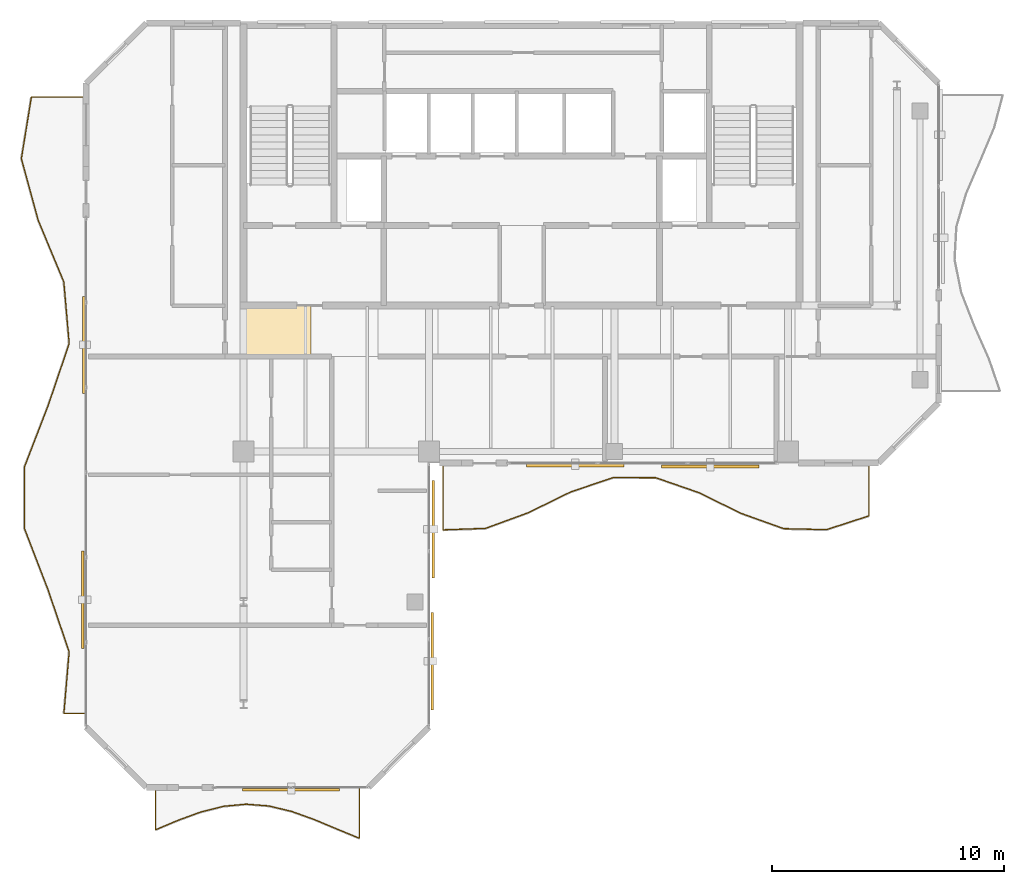
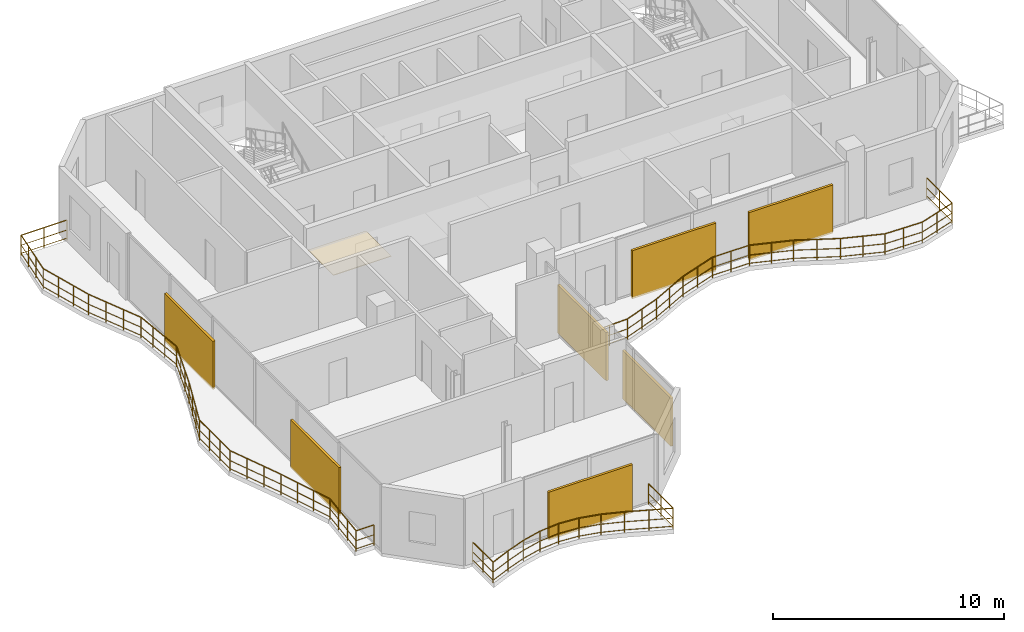
# One storey, part 16 of 17: 7 shading devices, 3 railings, 1 covering.
"""IFC4 building model written with IfcOpenShell, lengths in metres."""

from ifc_helpers import new_model, si_unit, direction, frame, origin, origin_2d, place, context, subcontext, project, spatial, polyline, rectangle, circle, outline, extrude, material, layer, layer_set, type_object, element, save


model = new_model("IFC4")

# Units and contexts
model_context = context("Model", 3, precision=1e-05, world=origin(), true_north=direction((0.0, 1.0)))
body_context = subcontext(model_context, "Body", "Model", "MODEL_VIEW")
ifc_project = project(units=[si_unit("LENGTHUNIT", "METRE"), si_unit("AREAUNIT", "SQUARE_METRE"), si_unit("VOLUMEUNIT", "CUBIC_METRE"), si_unit("PLANEANGLEUNIT", "RADIAN"), si_unit("MASSUNIT", "GRAM", prefix="KILO")], contexts=[model_context])

# Site, building, storey
site_placement = place(None, origin())
site = spatial("IfcSite", under=ifc_project, at=site_placement, CompositionType="ELEMENT")
building_placement = place(site_placement, origin())
building = spatial("IfcBuilding", under=site, at=building_placement, Name="Catumbela Crestline Tower", CompositionType="ELEMENT")
storey_placement = place(building_placement, frame((0.0, 0.0, 283.0)))
storey = spatial("IfcBuildingStorey", under=building, at=storey_placement, Name="L73", CompositionType="ELEMENT", Elevation=283.0)

# Covering
ifc_material_1 = material(Name="Mineral-fibre acoustic ceiling")
ifc_layer = layer(ifc_material_1, 0.03, Name="Mineral-fibre acoustic ceiling")
ifc_layer_set = layer_set([ifc_layer], Name="Mineral-fibre acoustic ceiling")
covering_type = type_object("IfcCoveringType", Name="CC-AC", PredefinedType="CEILING", material=ifc_layer_set)
covering_placement = place(storey_placement, frame((0.0, 0.0, 2.52)))
element("IfcCovering", 1, at=covering_placement, inside=storey, type_object=covering_type, Name="L73 Corridor Acoustic Ceiling Bay 1", PredefinedType="CEILING", context=body_context, shape_type="SweptSolid", body=[
    extrude(outline(polyline([(16.0, 28.6), (18.9, 28.6), (18.9, 30.8), (16.0, 30.8), (16.0, 28.6)])), origin(), (0.0, 0.0, 1.0), 0.03),
])

# Railings
ifc_material_2 = material(Name="Stainless steel EN 1.4401", Category="steel")
railing_type = type_object("IfcRailingType", Name="RB-1100", PredefinedType="BALUSTRADE", material=ifc_material_2)
railing_1_placement = place(storey_placement, frame((24.6, 23.94, 0.0)))
element("IfcRailing", 2, at=railing_1_placement, inside=storey, type_object=railing_type, Name="L73 Private Wave Balcony Balustrade 1", PredefinedType="BALUSTRADE", context=body_context, shape_type="SweptSolid", body=[
    extrude(circle(Radius=0.024, at=origin_2d()), frame((0.0, 0.0, 1.076), z_axis=(0.0, -1.0, 0.0), x_axis=(1.0, 0.0, 0.0)), (0.0, 0.0, 1.0), 2.8213),
    extrude(circle(Radius=0.0156, at=origin_2d()), frame((0.0, 0.0, 0.55), z_axis=(0.0, -1.0, 0.0), x_axis=(1.0, 0.0, 0.0)), (0.0, 0.0, 1.0), 2.8213),
    extrude(circle(Radius=0.0156, at=origin_2d()), frame((0.0, 0.0, 0.12), z_axis=(0.0, -1.0, 0.0), x_axis=(1.0, 0.0, 0.0)), (0.0, 0.0, 1.0), 2.8213),
    extrude(circle(Radius=0.024, at=origin_2d()), frame((0.0, -2.8213, 1.076), z_axis=(0.999391853654, 0.034870085329, 0.0), x_axis=(-0.034870085329, 0.999391853654, 0.0)), (0.0, 0.0, 1.0), 1.8411),
    extrude(circle(Radius=0.0156, at=origin_2d()), frame((0.0, -2.8213, 0.55), z_axis=(0.999391853654, 0.034870085329, 0.0), x_axis=(-0.034870085329, 0.999391853654, 0.0)), (0.0, 0.0, 1.0), 1.8411),
    extrude(circle(Radius=0.0156, at=origin_2d()), frame((0.0, -2.8213, 0.12), z_axis=(0.999391853654, 0.034870085329, 0.0), x_axis=(-0.034870085329, 0.999391853654, 0.0)), (0.0, 0.0, 1.0), 1.8411),
    extrude(circle(Radius=0.024, at=origin_2d()), frame((1.84, -2.7571, 1.076), z_axis=(0.939150966947, 0.343504674324, 0.0), x_axis=(-0.343504674324, 0.939150966947, 0.0)), (0.0, 0.0, 1.0), 1.9592),
    extrude(circle(Radius=0.0156, at=origin_2d()), frame((1.84, -2.7571, 0.55), z_axis=(0.939150966947, 0.343504674324, 0.0), x_axis=(-0.343504674324, 0.939150966947, 0.0)), (0.0, 0.0, 1.0), 1.9592),
    extrude(circle(Radius=0.0156, at=origin_2d()), frame((1.84, -2.7571, 0.12), z_axis=(0.939150966947, 0.343504674324, 0.0), x_axis=(-0.343504674324, 0.939150966947, 0.0)), (0.0, 0.0, 1.0), 1.9592),
    extrude(circle(Radius=0.024, at=origin_2d()), frame((3.68, -2.0841, 1.076), z_axis=(0.898028867435, 0.43993653321, 0.0), x_axis=(-0.43993653321, 0.898028867435, 0.0)), (0.0, 0.0, 1.0), 2.0489),
    extrude(circle(Radius=0.0156, at=origin_2d()), frame((3.68, -2.0841, 0.55), z_axis=(0.898028867435, 0.43993653321, 0.0), x_axis=(-0.43993653321, 0.898028867435, 0.0)), (0.0, 0.0, 1.0), 2.0489),
    extrude(circle(Radius=0.0156, at=origin_2d()), frame((3.68, -2.0841, 0.12), z_axis=(0.898028867435, 0.43993653321, 0.0), x_axis=(-0.43993653321, 0.898028867435, 0.0)), (0.0, 0.0, 1.0), 2.0489),
    extrude(circle(Radius=0.024, at=origin_2d()), frame((5.52, -1.1827, 1.076), z_axis=(0.947601450983, 0.319454989155, 0.0), x_axis=(-0.319454989155, 0.947601450983, 0.0)), (0.0, 0.0, 1.0), 1.9417),
    extrude(circle(Radius=0.0156, at=origin_2d()), frame((5.52, -1.1827, 0.55), z_axis=(0.947601450983, 0.319454989155, 0.0), x_axis=(-0.319454989155, 0.947601450983, 0.0)), (0.0, 0.0, 1.0), 1.9417),
    extrude(circle(Radius=0.0156, at=origin_2d()), frame((5.52, -1.1827, 0.12), z_axis=(0.947601450983, 0.319454989155, 0.0), x_axis=(-0.319454989155, 0.947601450983, 0.0)), (0.0, 0.0, 1.0), 1.9417),
    extrude(circle(Radius=0.024, at=origin_2d()), frame((7.36, -0.5624, 1.076), z_axis=(0.9999808075, -0.006195533264, 0.0), x_axis=(0.006195533264, 0.9999808075, 0.0)), (0.0, 0.0, 1.0), 1.84),
    extrude(circle(Radius=0.0156, at=origin_2d()), frame((7.36, -0.5624, 0.55), z_axis=(0.9999808075, -0.006195533264, 0.0), x_axis=(0.006195533264, 0.9999808075, 0.0)), (0.0, 0.0, 1.0), 1.84),
    extrude(circle(Radius=0.0156, at=origin_2d()), frame((7.36, -0.5624, 0.12), z_axis=(0.9999808075, -0.006195533264, 0.0), x_axis=(0.006195533264, 0.9999808075, 0.0)), (0.0, 0.0, 1.0), 1.84),
    extrude(circle(Radius=0.024, at=origin_2d()), frame((9.2, -0.5738, 1.076), z_axis=(0.945037354701, -0.326962380436, 0.0), x_axis=(0.326962380436, 0.945037354701, 0.0)), (0.0, 0.0, 1.0), 1.947),
    extrude(circle(Radius=0.0156, at=origin_2d()), frame((9.2, -0.5738, 0.55), z_axis=(0.945037354701, -0.326962380436, 0.0), x_axis=(0.326962380436, 0.945037354701, 0.0)), (0.0, 0.0, 1.0), 1.947),
    extrude(circle(Radius=0.0156, at=origin_2d()), frame((9.2, -0.5738, 0.12), z_axis=(0.945037354701, -0.326962380436, 0.0), x_axis=(0.326962380436, 0.945037354701, 0.0)), (0.0, 0.0, 1.0), 1.947),
    extrude(circle(Radius=0.024, at=origin_2d()), frame((11.04, -1.2104, 1.076), z_axis=(0.897913159106, -0.440172646475, 0.0), x_axis=(0.440172646475, 0.897913159106, 0.0)), (0.0, 0.0, 1.0), 2.0492),
    extrude(circle(Radius=0.0156, at=origin_2d()), frame((11.04, -1.2104, 0.55), z_axis=(0.897913159106, -0.440172646475, 0.0), x_axis=(0.440172646475, 0.897913159106, 0.0)), (0.0, 0.0, 1.0), 2.0492),
    extrude(circle(Radius=0.0156, at=origin_2d()), frame((11.04, -1.2104, 0.12), z_axis=(0.897913159106, -0.440172646475, 0.0), x_axis=(0.440172646475, 0.897913159106, 0.0)), (0.0, 0.0, 1.0), 2.0492),
    extrude(circle(Radius=0.024, at=origin_2d()), frame((12.88, -2.1124, 1.076), z_axis=(0.941667785429, -0.336543878097, 0.0), x_axis=(0.336543878097, 0.941667785429, 0.0)), (0.0, 0.0, 1.0), 1.954),
    extrude(circle(Radius=0.0156, at=origin_2d()), frame((12.88, -2.1124, 0.55), z_axis=(0.941667785429, -0.336543878097, 0.0), x_axis=(0.336543878097, 0.941667785429, 0.0)), (0.0, 0.0, 1.0), 1.954),
    extrude(circle(Radius=0.0156, at=origin_2d()), frame((12.88, -2.1124, 0.12), z_axis=(0.941667785429, -0.336543878097, 0.0), x_axis=(0.336543878097, 0.941667785429, 0.0)), (0.0, 0.0, 1.0), 1.954),
    extrude(circle(Radius=0.024, at=origin_2d()), frame((14.72, -2.77, 1.076), z_axis=(0.999744521378, -0.022602919614, 0.0), x_axis=(0.022602919614, 0.999744521378, 0.0)), (0.0, 0.0, 1.0), 1.8405),
    extrude(circle(Radius=0.0156, at=origin_2d()), frame((14.72, -2.77, 0.55), z_axis=(0.999744521378, -0.022602919614, 0.0), x_axis=(0.022602919614, 0.999744521378, 0.0)), (0.0, 0.0, 1.0), 1.8405),
    extrude(circle(Radius=0.0156, at=origin_2d()), frame((14.72, -2.77, 0.12), z_axis=(0.999744521378, -0.022602919614, 0.0), x_axis=(0.022602919614, 0.999744521378, 0.0)), (0.0, 0.0, 1.0), 1.8405),
    extrude(circle(Radius=0.024, at=origin_2d()), frame((16.56, -2.8116, 1.076), z_axis=(0.951034068731, 0.309086072338, 0.0), x_axis=(-0.309086072338, 0.951034068731, 0.0)), (0.0, 0.0, 1.0), 1.9347),
    extrude(circle(Radius=0.0156, at=origin_2d()), frame((16.56, -2.8116, 0.55), z_axis=(0.951034068731, 0.309086072338, 0.0), x_axis=(-0.309086072338, 0.951034068731, 0.0)), (0.0, 0.0, 1.0), 1.9347),
    extrude(circle(Radius=0.0156, at=origin_2d()), frame((16.56, -2.8116, 0.12), z_axis=(0.951034068731, 0.309086072338, 0.0), x_axis=(-0.309086072338, 0.951034068731, 0.0)), (0.0, 0.0, 1.0), 1.9347),
    extrude(circle(Radius=0.024, at=origin_2d()), frame((18.4, -2.2136, 1.076), z_axis=(0.0, 1.0, 0.0), x_axis=(-1.0, 0.0, 0.0)), (0.0, 0.0, 1.0), 2.2136),
    extrude(circle(Radius=0.0156, at=origin_2d()), frame((18.4, -2.2136, 0.55), z_axis=(0.0, 1.0, 0.0), x_axis=(-1.0, 0.0, 0.0)), (0.0, 0.0, 1.0), 2.2136),
    extrude(circle(Radius=0.0156, at=origin_2d()), frame((18.4, -2.2136, 0.12), z_axis=(0.0, 1.0, 0.0), x_axis=(-1.0, 0.0, 0.0)), (0.0, 0.0, 1.0), 2.2136),
    extrude(circle(Radius=0.021, at=origin_2d()), origin(), (0.0, 0.0, 1.0), 1.052),
    extrude(circle(Radius=0.021, at=origin_2d()), frame((0.0, -0.9404, 0.0)), (0.0, 0.0, 1.0), 1.052),
    extrude(circle(Radius=0.021, at=origin_2d()), frame((0.0, -1.8809, 0.0)), (0.0, 0.0, 1.0), 1.052),
    extrude(circle(Radius=0.021, at=origin_2d()), frame((0.0, -2.8213, 0.0)), (0.0, 0.0, 1.0), 1.052),
    extrude(circle(Radius=0.021, at=origin_2d()), frame((0.92, -2.7892, 0.0)), (0.0, 0.0, 1.0), 1.052),
    extrude(circle(Radius=0.021, at=origin_2d()), frame((1.84, -2.7571, 0.0)), (0.0, 0.0, 1.0), 1.052),
    extrude(circle(Radius=0.021, at=origin_2d()), frame((2.76, -2.4206, 0.0)), (0.0, 0.0, 1.0), 1.052),
    extrude(circle(Radius=0.021, at=origin_2d()), frame((3.68, -2.0841, 0.0)), (0.0, 0.0, 1.0), 1.052),
    extrude(circle(Radius=0.021, at=origin_2d()), frame((4.6, -1.6334, 0.0)), (0.0, 0.0, 1.0), 1.052),
    extrude(circle(Radius=0.021, at=origin_2d()), frame((5.52, -1.1827, 0.0)), (0.0, 0.0, 1.0), 1.052),
    extrude(circle(Radius=0.021, at=origin_2d()), frame((6.44, -0.8726, 0.0)), (0.0, 0.0, 1.0), 1.052),
    extrude(circle(Radius=0.021, at=origin_2d()), frame((7.36, -0.5624, 0.0)), (0.0, 0.0, 1.0), 1.052),
    extrude(circle(Radius=0.021, at=origin_2d()), frame((8.28, -0.5681, 0.0)), (0.0, 0.0, 1.0), 1.052),
    extrude(circle(Radius=0.021, at=origin_2d()), frame((9.2, -0.5738, 0.0)), (0.0, 0.0, 1.0), 1.052),
    extrude(circle(Radius=0.021, at=origin_2d()), frame((10.12, -0.8921, 0.0)), (0.0, 0.0, 1.0), 1.052),
    extrude(circle(Radius=0.021, at=origin_2d()), frame((11.04, -1.2104, 0.0)), (0.0, 0.0, 1.0), 1.052),
    extrude(circle(Radius=0.021, at=origin_2d()), frame((11.96, -1.6614, 0.0)), (0.0, 0.0, 1.0), 1.052),
    extrude(circle(Radius=0.021, at=origin_2d()), frame((12.88, -2.1124, 0.0)), (0.0, 0.0, 1.0), 1.052),
    extrude(circle(Radius=0.021, at=origin_2d()), frame((13.8, -2.4412, 0.0)), (0.0, 0.0, 1.0), 1.052),
    extrude(circle(Radius=0.021, at=origin_2d()), frame((14.72, -2.77, 0.0)), (0.0, 0.0, 1.0), 1.052),
    extrude(circle(Radius=0.021, at=origin_2d()), frame((15.64, -2.7908, 0.0)), (0.0, 0.0, 1.0), 1.052),
    extrude(circle(Radius=0.021, at=origin_2d()), frame((16.56, -2.8116, 0.0)), (0.0, 0.0, 1.0), 1.052),
    extrude(circle(Radius=0.021, at=origin_2d()), frame((17.48, -2.5126, 0.0)), (0.0, 0.0, 1.0), 1.052),
    extrude(circle(Radius=0.021, at=origin_2d()), frame((18.4, -2.2136, 0.0)), (0.0, 0.0, 1.0), 1.052),
    extrude(circle(Radius=0.021, at=origin_2d()), frame((18.4, -1.1068, 0.0)), (0.0, 0.0, 1.0), 1.052),
    extrude(circle(Radius=0.021, at=origin_2d()), frame((18.4, 0.0, 0.0)), (0.0, 0.0, 1.0), 1.052),
])
railing_2_placement = place(storey_placement, frame((12.2, 9.94, 0.0)))
element("IfcRailing", 3, at=railing_2_placement, inside=storey, type_object=railing_type, Name="L73 Private Wave Balcony Balustrade 3", PredefinedType="BALUSTRADE", context=body_context, shape_type="SweptSolid", body=[
    extrude(circle(Radius=0.024, at=origin_2d()), frame((0.0, 0.0, 1.076), z_axis=(0.0, -1.0, 0.0), x_axis=(1.0, 0.0, 0.0)), (0.0, 0.0, 1.0), 1.7666),
    extrude(circle(Radius=0.0156, at=origin_2d()), frame((0.0, 0.0, 0.55), z_axis=(0.0, -1.0, 0.0), x_axis=(1.0, 0.0, 0.0)), (0.0, 0.0, 1.0), 1.7666),
    extrude(circle(Radius=0.0156, at=origin_2d()), frame((0.0, 0.0, 0.12), z_axis=(0.0, -1.0, 0.0), x_axis=(1.0, 0.0, 0.0)), (0.0, 0.0, 1.0), 1.7666),
    extrude(circle(Radius=0.024, at=origin_2d()), frame((0.0, -1.7666, 1.076), z_axis=(0.921569720082, 0.388212893948, 0.0), x_axis=(-0.388212893948, 0.921569720082, 0.0)), (0.0, 0.0, 1.0), 1.061),
    extrude(circle(Radius=0.0156, at=origin_2d()), frame((0.0, -1.7666, 0.55), z_axis=(0.921569720082, 0.388212893948, 0.0), x_axis=(-0.388212893948, 0.921569720082, 0.0)), (0.0, 0.0, 1.0), 1.061),
    extrude(circle(Radius=0.0156, at=origin_2d()), frame((0.0, -1.7666, 0.12), z_axis=(0.921569720082, 0.388212893948, 0.0), x_axis=(-0.388212893948, 0.921569720082, 0.0)), (0.0, 0.0, 1.0), 1.061),
    extrude(circle(Radius=0.024, at=origin_2d()), frame((0.9778, -1.3547, 1.076), z_axis=(0.939008679496, 0.343893442552, 0.0), x_axis=(-0.343893442552, 0.939008679496, 0.0)), (0.0, 0.0, 1.0), 1.0413),
    extrude(circle(Radius=0.0156, at=origin_2d()), frame((0.9778, -1.3547, 0.55), z_axis=(0.939008679496, 0.343893442552, 0.0), x_axis=(-0.343893442552, 0.939008679496, 0.0)), (0.0, 0.0, 1.0), 1.0413),
    extrude(circle(Radius=0.0156, at=origin_2d()), frame((0.9778, -1.3547, 0.12), z_axis=(0.939008679496, 0.343893442552, 0.0), x_axis=(-0.343893442552, 0.939008679496, 0.0)), (0.0, 0.0, 1.0), 1.0413),
    extrude(circle(Radius=0.024, at=origin_2d()), frame((1.9556, -0.9966, 1.076), z_axis=(0.970008121853, 0.243072506755, 0.0), x_axis=(-0.243072506755, 0.970008121853, 0.0)), (0.0, 0.0, 1.0), 1.0079),
    extrude(circle(Radius=0.0156, at=origin_2d()), frame((1.9556, -0.9966, 0.55), z_axis=(0.970008121853, 0.243072506755, 0.0), x_axis=(-0.243072506755, 0.970008121853, 0.0)), (0.0, 0.0, 1.0), 1.0079),
    extrude(circle(Radius=0.0156, at=origin_2d()), frame((1.9556, -0.9966, 0.12), z_axis=(0.970008121853, 0.243072506755, 0.0), x_axis=(-0.243072506755, 0.970008121853, 0.0)), (0.0, 0.0, 1.0), 1.0079),
    extrude(circle(Radius=0.024, at=origin_2d()), frame((2.9333, -0.7516, 1.076), z_axis=(0.995659621087, 0.09306943073, 0.0), x_axis=(-0.09306943073, 0.995659621087, 0.0)), (0.0, 0.0, 1.0), 0.9821),
    extrude(circle(Radius=0.0156, at=origin_2d()), frame((2.9333, -0.7516, 0.55), z_axis=(0.995659621087, 0.09306943073, 0.0), x_axis=(-0.09306943073, 0.995659621087, 0.0)), (0.0, 0.0, 1.0), 0.9821),
    extrude(circle(Radius=0.0156, at=origin_2d()), frame((2.9333, -0.7516, 0.12), z_axis=(0.995659621087, 0.09306943073, 0.0), x_axis=(-0.09306943073, 0.995659621087, 0.0)), (0.0, 0.0, 1.0), 0.9821),
    extrude(circle(Radius=0.024, at=origin_2d()), frame((3.9111, -0.6602, 1.076), z_axis=(0.996897727635, -0.078707818136, 0.0), x_axis=(0.078707818136, 0.996897727635, 0.0)), (0.0, 0.0, 1.0), 0.9808),
    extrude(circle(Radius=0.0156, at=origin_2d()), frame((3.9111, -0.6602, 0.55), z_axis=(0.996897727635, -0.078707818136, 0.0), x_axis=(0.078707818136, 0.996897727635, 0.0)), (0.0, 0.0, 1.0), 0.9808),
    extrude(circle(Radius=0.0156, at=origin_2d()), frame((3.9111, -0.6602, 0.12), z_axis=(0.996897727635, -0.078707818136, 0.0), x_axis=(0.078707818136, 0.996897727635, 0.0)), (0.0, 0.0, 1.0), 0.9808),
    extrude(circle(Radius=0.024, at=origin_2d()), frame((4.8889, -0.7374, 1.076), z_axis=(0.972718619621, -0.231988118322, 0.0), x_axis=(0.231988118322, 0.972718619621, 0.0)), (0.0, 0.0, 1.0), 1.0052),
    extrude(circle(Radius=0.0156, at=origin_2d()), frame((4.8889, -0.7374, 0.55), z_axis=(0.972718619621, -0.231988118322, 0.0), x_axis=(0.231988118322, 0.972718619621, 0.0)), (0.0, 0.0, 1.0), 1.0052),
    extrude(circle(Radius=0.0156, at=origin_2d()), frame((4.8889, -0.7374, 0.12), z_axis=(0.972718619621, -0.231988118322, 0.0), x_axis=(0.231988118322, 0.972718619621, 0.0)), (0.0, 0.0, 1.0), 1.0052),
    extrude(circle(Radius=0.024, at=origin_2d()), frame((5.8667, -0.9706, 1.076), z_axis=(0.941338249995, -0.337464515315, 0.0), x_axis=(0.337464515315, 0.941338249995, 0.0)), (0.0, 0.0, 1.0), 1.0386),
    extrude(circle(Radius=0.0156, at=origin_2d()), frame((5.8667, -0.9706, 0.55), z_axis=(0.941338249995, -0.337464515315, 0.0), x_axis=(0.337464515315, 0.941338249995, 0.0)), (0.0, 0.0, 1.0), 1.0386),
    extrude(circle(Radius=0.0156, at=origin_2d()), frame((5.8667, -0.9706, 0.12), z_axis=(0.941338249995, -0.337464515315, 0.0), x_axis=(0.337464515315, 0.941338249995, 0.0)), (0.0, 0.0, 1.0), 1.0386),
    extrude(circle(Radius=0.024, at=origin_2d()), frame((6.8444, -1.3211, 1.076), z_axis=(0.922243202918, -0.386610236118, 0.0), x_axis=(0.386610236118, 0.922243202918, 0.0)), (0.0, 0.0, 1.0), 1.0602),
    extrude(circle(Radius=0.0156, at=origin_2d()), frame((6.8444, -1.3211, 0.55), z_axis=(0.922243202918, -0.386610236118, 0.0), x_axis=(0.386610236118, 0.922243202918, 0.0)), (0.0, 0.0, 1.0), 1.0602),
    extrude(circle(Radius=0.0156, at=origin_2d()), frame((6.8444, -1.3211, 0.12), z_axis=(0.922243202918, -0.386610236118, 0.0), x_axis=(0.386610236118, 0.922243202918, 0.0)), (0.0, 0.0, 1.0), 1.0602),
    extrude(circle(Radius=0.024, at=origin_2d()), frame((7.8222, -1.731, 1.076), z_axis=(0.925085114488, -0.379759833254, 0.0), x_axis=(0.379759833254, 0.925085114488, 0.0)), (0.0, 0.0, 1.0), 1.057),
    extrude(circle(Radius=0.0156, at=origin_2d()), frame((7.8222, -1.731, 0.55), z_axis=(0.925085114488, -0.379759833254, 0.0), x_axis=(0.379759833254, 0.925085114488, 0.0)), (0.0, 0.0, 1.0), 1.057),
    extrude(circle(Radius=0.0156, at=origin_2d()), frame((7.8222, -1.731, 0.12), z_axis=(0.925085114488, -0.379759833254, 0.0), x_axis=(0.379759833254, 0.925085114488, 0.0)), (0.0, 0.0, 1.0), 1.057),
    extrude(circle(Radius=0.024, at=origin_2d()), frame((8.8, -2.1324, 1.076), z_axis=(0.0, 1.0, 0.0), x_axis=(-1.0, 0.0, 0.0)), (0.0, 0.0, 1.0), 2.1324),
    extrude(circle(Radius=0.0156, at=origin_2d()), frame((8.8, -2.1324, 0.55), z_axis=(0.0, 1.0, 0.0), x_axis=(-1.0, 0.0, 0.0)), (0.0, 0.0, 1.0), 2.1324),
    extrude(circle(Radius=0.0156, at=origin_2d()), frame((8.8, -2.1324, 0.12), z_axis=(0.0, 1.0, 0.0), x_axis=(-1.0, 0.0, 0.0)), (0.0, 0.0, 1.0), 2.1324),
    extrude(circle(Radius=0.021, at=origin_2d()), origin(), (0.0, 0.0, 1.0), 1.052),
    extrude(circle(Radius=0.021, at=origin_2d()), frame((0.0, -0.8833, 0.0)), (0.0, 0.0, 1.0), 1.052),
    extrude(circle(Radius=0.021, at=origin_2d()), frame((0.0, -1.7666, 0.0)), (0.0, 0.0, 1.0), 1.052),
    extrude(circle(Radius=0.021, at=origin_2d()), frame((0.9778, -1.3547, 0.0)), (0.0, 0.0, 1.0), 1.052),
    extrude(circle(Radius=0.021, at=origin_2d()), frame((1.9556, -0.9966, 0.0)), (0.0, 0.0, 1.0), 1.052),
    extrude(circle(Radius=0.021, at=origin_2d()), frame((2.9333, -0.7516, 0.0)), (0.0, 0.0, 1.0), 1.052),
    extrude(circle(Radius=0.021, at=origin_2d()), frame((3.9111, -0.6602, 0.0)), (0.0, 0.0, 1.0), 1.052),
    extrude(circle(Radius=0.021, at=origin_2d()), frame((4.8889, -0.7374, 0.0)), (0.0, 0.0, 1.0), 1.052),
    extrude(circle(Radius=0.021, at=origin_2d()), frame((5.8667, -0.9706, 0.0)), (0.0, 0.0, 1.0), 1.052),
    extrude(circle(Radius=0.021, at=origin_2d()), frame((6.8444, -1.3211, 0.0)), (0.0, 0.0, 1.0), 1.052),
    extrude(circle(Radius=0.021, at=origin_2d()), frame((7.8222, -1.731, 0.0)), (0.0, 0.0, 1.0), 1.052),
    extrude(circle(Radius=0.021, at=origin_2d()), frame((8.8, -2.1324, 0.0)), (0.0, 0.0, 1.0), 1.052),
    extrude(circle(Radius=0.021, at=origin_2d()), frame((8.8, -1.0662, 0.0)), (0.0, 0.0, 1.0), 1.052),
    extrude(circle(Radius=0.021, at=origin_2d()), frame((8.8, 0.0, 0.0)), (0.0, 0.0, 1.0), 1.052),
])
railing_3_placement = place(storey_placement, frame((9.14, 39.8, 0.0)))
element("IfcRailing", 4, at=railing_3_placement, inside=storey, type_object=railing_type, Name="L73 Private Wave Balcony Balustrade 4", PredefinedType="BALUSTRADE", context=body_context, shape_type="SweptSolid", body=[
    extrude(circle(Radius=0.024, at=origin_2d()), frame((0.0, 0.0, 1.076), z_axis=(-1.0, 0.0, 0.0), x_axis=(0.0, -1.0, 0.0)), (0.0, 0.0, 1.0), 2.2979),
    extrude(circle(Radius=0.0156, at=origin_2d()), frame((0.0, 0.0, 0.55), z_axis=(-1.0, 0.0, 0.0), x_axis=(0.0, -1.0, 0.0)), (0.0, 0.0, 1.0), 2.2979),
    extrude(circle(Radius=0.0156, at=origin_2d()), frame((0.0, 0.0, 0.12), z_axis=(-1.0, 0.0, 0.0), x_axis=(0.0, -1.0, 0.0)), (0.0, 0.0, 1.0), 2.2979),
    extrude(circle(Radius=0.024, at=origin_2d()), frame((-2.2979, 0.0, 1.076), z_axis=(-0.160341839763, -0.987061545407, 0.0), x_axis=(0.987061545407, -0.160341839763, 0.0)), (0.0, 0.0, 1.0), 2.6949),
    extrude(circle(Radius=0.0156, at=origin_2d()), frame((-2.2979, 0.0, 0.55), z_axis=(-0.160341839763, -0.987061545407, 0.0), x_axis=(0.987061545407, -0.160341839763, 0.0)), (0.0, 0.0, 1.0), 2.6949),
    extrude(circle(Radius=0.0156, at=origin_2d()), frame((-2.2979, 0.0, 0.12), z_axis=(-0.160341839763, -0.987061545407, 0.0), x_axis=(0.987061545407, -0.160341839763, 0.0)), (0.0, 0.0, 1.0), 2.6949),
    extrude(circle(Radius=0.024, at=origin_2d()), frame((-2.73, -2.66, 1.076), z_axis=(0.263537775884, -0.964649076443, 0.0), x_axis=(0.964649076443, 0.263537775884, 0.0)), (0.0, 0.0, 1.0), 2.7575),
    extrude(circle(Radius=0.0156, at=origin_2d()), frame((-2.73, -2.66, 0.55), z_axis=(0.263537775884, -0.964649076443, 0.0), x_axis=(0.964649076443, 0.263537775884, 0.0)), (0.0, 0.0, 1.0), 2.7575),
    extrude(circle(Radius=0.0156, at=origin_2d()), frame((-2.73, -2.66, 0.12), z_axis=(0.263537775884, -0.964649076443, 0.0), x_axis=(0.964649076443, 0.263537775884, 0.0)), (0.0, 0.0, 1.0), 2.7575),
    extrude(circle(Radius=0.024, at=origin_2d()), frame((-2.0033, -5.32, 1.076), z_axis=(0.383836332097, -0.923401142604, 0.0), x_axis=(0.923401142604, 0.383836332097, 0.0)), (0.0, 0.0, 1.0), 2.8807),
    extrude(circle(Radius=0.0156, at=origin_2d()), frame((-2.0033, -5.32, 0.55), z_axis=(0.383836332097, -0.923401142604, 0.0), x_axis=(0.923401142604, 0.383836332097, 0.0)), (0.0, 0.0, 1.0), 2.8807),
    extrude(circle(Radius=0.0156, at=origin_2d()), frame((-2.0033, -5.32, 0.12), z_axis=(0.383836332097, -0.923401142604, 0.0), x_axis=(0.923401142604, 0.383836332097, 0.0)), (0.0, 0.0, 1.0), 2.8807),
    extrude(circle(Radius=0.024, at=origin_2d()), frame((-0.8976, -7.98, 1.076), z_axis=(0.086442137695, -0.996256872915, 0.0), x_axis=(0.996256872915, 0.086442137695, 0.0)), (0.0, 0.0, 1.0), 2.67),
    extrude(circle(Radius=0.0156, at=origin_2d()), frame((-0.8976, -7.98, 0.55), z_axis=(0.086442137695, -0.996256872915, 0.0), x_axis=(0.996256872915, 0.086442137695, 0.0)), (0.0, 0.0, 1.0), 2.67),
    extrude(circle(Radius=0.0156, at=origin_2d()), frame((-0.8976, -7.98, 0.12), z_axis=(0.086442137695, -0.996256872915, 0.0), x_axis=(0.996256872915, 0.086442137695, 0.0)), (0.0, 0.0, 1.0), 2.67),
    extrude(circle(Radius=0.024, at=origin_2d()), frame((-0.6668, -10.64, 1.076), z_axis=(-0.321200563036, -0.947011192281, 0.0), x_axis=(0.947011192281, -0.321200563036, 0.0)), (0.0, 0.0, 1.0), 2.8088),
    extrude(circle(Radius=0.0156, at=origin_2d()), frame((-0.6668, -10.64, 0.55), z_axis=(-0.321200563036, -0.947011192281, 0.0), x_axis=(0.947011192281, -0.321200563036, 0.0)), (0.0, 0.0, 1.0), 2.8088),
    extrude(circle(Radius=0.0156, at=origin_2d()), frame((-0.6668, -10.64, 0.12), z_axis=(-0.321200563036, -0.947011192281, 0.0), x_axis=(0.947011192281, -0.321200563036, 0.0)), (0.0, 0.0, 1.0), 2.8088),
    extrude(circle(Radius=0.024, at=origin_2d()), frame((-1.569, -13.3, 1.076), z_axis=(-0.359963661207, -0.932966324478, 0.0), x_axis=(0.932966324478, -0.359963661207, 0.0)), (0.0, 0.0, 1.0), 2.8511),
    extrude(circle(Radius=0.0156, at=origin_2d()), frame((-1.569, -13.3, 0.55), z_axis=(-0.359963661207, -0.932966324478, 0.0), x_axis=(0.932966324478, -0.359963661207, 0.0)), (0.0, 0.0, 1.0), 2.8511),
    extrude(circle(Radius=0.0156, at=origin_2d()), frame((-1.569, -13.3, 0.12), z_axis=(-0.359963661207, -0.932966324478, 0.0), x_axis=(0.932966324478, -0.359963661207, 0.0)), (0.0, 0.0, 1.0), 2.8511),
    extrude(circle(Radius=0.024, at=origin_2d()), frame((-2.5953, -15.96, 1.076), z_axis=(-0.001052630996, -0.999999445984, 0.0), x_axis=(0.999999445984, -0.001052630996, 0.0)), (0.0, 0.0, 1.0), 2.66),
    extrude(circle(Radius=0.0156, at=origin_2d()), frame((-2.5953, -15.96, 0.55), z_axis=(-0.001052630996, -0.999999445984, 0.0), x_axis=(0.999999445984, -0.001052630996, 0.0)), (0.0, 0.0, 1.0), 2.66),
    extrude(circle(Radius=0.0156, at=origin_2d()), frame((-2.5953, -15.96, 0.12), z_axis=(-0.001052630996, -0.999999445984, 0.0), x_axis=(0.999999445984, -0.001052630996, 0.0)), (0.0, 0.0, 1.0), 2.66),
    extrude(circle(Radius=0.024, at=origin_2d()), frame((-2.5981, -18.62, 1.076), z_axis=(0.359230626054, -0.933248818539, 0.0), x_axis=(0.933248818539, 0.359230626054, 0.0)), (0.0, 0.0, 1.0), 2.8503),
    extrude(circle(Radius=0.0156, at=origin_2d()), frame((-2.5981, -18.62, 0.55), z_axis=(0.359230626054, -0.933248818539, 0.0), x_axis=(0.933248818539, 0.359230626054, 0.0)), (0.0, 0.0, 1.0), 2.8503),
    extrude(circle(Radius=0.0156, at=origin_2d()), frame((-2.5981, -18.62, 0.12), z_axis=(0.359230626054, -0.933248818539, 0.0), x_axis=(0.933248818539, 0.359230626054, 0.0)), (0.0, 0.0, 1.0), 2.8503),
    extrude(circle(Radius=0.024, at=origin_2d()), frame((-1.5742, -21.28, 1.076), z_axis=(0.322285511492, -0.946642513879, 0.0), x_axis=(0.946642513879, 0.322285511492, 0.0)), (0.0, 0.0, 1.0), 2.8099),
    extrude(circle(Radius=0.0156, at=origin_2d()), frame((-1.5742, -21.28, 0.55), z_axis=(0.322285511492, -0.946642513879, 0.0), x_axis=(0.946642513879, 0.322285511492, 0.0)), (0.0, 0.0, 1.0), 2.8099),
    extrude(circle(Radius=0.0156, at=origin_2d()), frame((-1.5742, -21.28, 0.12), z_axis=(0.322285511492, -0.946642513879, 0.0), x_axis=(0.946642513879, 0.322285511492, 0.0)), (0.0, 0.0, 1.0), 2.8099),
    extrude(circle(Radius=0.024, at=origin_2d()), frame((-0.6686, -23.94, 1.076), z_axis=(-0.084434251314, -0.99642905277, 0.0), x_axis=(0.99642905277, -0.084434251314, 0.0)), (0.0, 0.0, 1.0), 2.6695),
    extrude(circle(Radius=0.0156, at=origin_2d()), frame((-0.6686, -23.94, 0.55), z_axis=(-0.084434251314, -0.99642905277, 0.0), x_axis=(0.99642905277, -0.084434251314, 0.0)), (0.0, 0.0, 1.0), 2.6695),
    extrude(circle(Radius=0.0156, at=origin_2d()), frame((-0.6686, -23.94, 0.12), z_axis=(-0.084434251314, -0.99642905277, 0.0), x_axis=(0.99642905277, -0.084434251314, 0.0)), (0.0, 0.0, 1.0), 2.6695),
    extrude(circle(Radius=0.024, at=origin_2d()), frame((-0.894, -26.6, 1.076), z_axis=(1.0, 0.0, 0.0), x_axis=(0.0, 1.0, 0.0)), (0.0, 0.0, 1.0), 0.894),
    extrude(circle(Radius=0.0156, at=origin_2d()), frame((-0.894, -26.6, 0.55), z_axis=(1.0, 0.0, 0.0), x_axis=(0.0, 1.0, 0.0)), (0.0, 0.0, 1.0), 0.894),
    extrude(circle(Radius=0.0156, at=origin_2d()), frame((-0.894, -26.6, 0.12), z_axis=(1.0, 0.0, 0.0), x_axis=(0.0, 1.0, 0.0)), (0.0, 0.0, 1.0), 0.894),
    extrude(circle(Radius=0.021, at=origin_2d()), origin(), (0.0, 0.0, 1.0), 1.052),
    extrude(circle(Radius=0.021, at=origin_2d()), frame((-1.149, 0.0, 0.0)), (0.0, 0.0, 1.0), 1.052),
    extrude(circle(Radius=0.021, at=origin_2d()), frame((-2.2979, 0.0, 0.0)), (0.0, 0.0, 1.0), 1.052),
    extrude(circle(Radius=0.021, at=origin_2d()), frame((-2.4419, -0.8867, 0.0)), (0.0, 0.0, 1.0), 1.052),
    extrude(circle(Radius=0.021, at=origin_2d()), frame((-2.586, -1.7733, 0.0)), (0.0, 0.0, 1.0), 1.052),
    extrude(circle(Radius=0.021, at=origin_2d()), frame((-2.73, -2.66, 0.0)), (0.0, 0.0, 1.0), 1.052),
    extrude(circle(Radius=0.021, at=origin_2d()), frame((-2.4878, -3.5467, 0.0)), (0.0, 0.0, 1.0), 1.052),
    extrude(circle(Radius=0.021, at=origin_2d()), frame((-2.2455, -4.4333, 0.0)), (0.0, 0.0, 1.0), 1.052),
    extrude(circle(Radius=0.021, at=origin_2d()), frame((-2.0033, -5.32, 0.0)), (0.0, 0.0, 1.0), 1.052),
    extrude(circle(Radius=0.021, at=origin_2d()), frame((-1.6347, -6.2067, 0.0)), (0.0, 0.0, 1.0), 1.052),
    extrude(circle(Radius=0.021, at=origin_2d()), frame((-1.2662, -7.0933, 0.0)), (0.0, 0.0, 1.0), 1.052),
    extrude(circle(Radius=0.021, at=origin_2d()), frame((-0.8976, -7.98, 0.0)), (0.0, 0.0, 1.0), 1.052),
    extrude(circle(Radius=0.021, at=origin_2d()), frame((-0.8207, -8.8667, 0.0)), (0.0, 0.0, 1.0), 1.052),
    extrude(circle(Radius=0.021, at=origin_2d()), frame((-0.7437, -9.7533, 0.0)), (0.0, 0.0, 1.0), 1.052),
    extrude(circle(Radius=0.021, at=origin_2d()), frame((-0.6668, -10.64, 0.0)), (0.0, 0.0, 1.0), 1.052),
    extrude(circle(Radius=0.021, at=origin_2d()), frame((-0.9675, -11.5267, 0.0)), (0.0, 0.0, 1.0), 1.052),
    extrude(circle(Radius=0.021, at=origin_2d()), frame((-1.2683, -12.4133, 0.0)), (0.0, 0.0, 1.0), 1.052),
    extrude(circle(Radius=0.021, at=origin_2d()), frame((-1.569, -13.3, 0.0)), (0.0, 0.0, 1.0), 1.052),
    extrude(circle(Radius=0.021, at=origin_2d()), frame((-1.9111, -14.1867, 0.0)), (0.0, 0.0, 1.0), 1.052),
    extrude(circle(Radius=0.021, at=origin_2d()), frame((-2.2532, -15.0733, 0.0)), (0.0, 0.0, 1.0), 1.052),
    extrude(circle(Radius=0.021, at=origin_2d()), frame((-2.5953, -15.96, 0.0)), (0.0, 0.0, 1.0), 1.052),
    extrude(circle(Radius=0.021, at=origin_2d()), frame((-2.5962, -16.8467, 0.0)), (0.0, 0.0, 1.0), 1.052),
    extrude(circle(Radius=0.021, at=origin_2d()), frame((-2.5972, -17.7333, 0.0)), (0.0, 0.0, 1.0), 1.052),
    extrude(circle(Radius=0.021, at=origin_2d()), frame((-2.5981, -18.62, 0.0)), (0.0, 0.0, 1.0), 1.052),
    extrude(circle(Radius=0.021, at=origin_2d()), frame((-2.2568, -19.5067, 0.0)), (0.0, 0.0, 1.0), 1.052),
    extrude(circle(Radius=0.021, at=origin_2d()), frame((-1.9155, -20.3933, 0.0)), (0.0, 0.0, 1.0), 1.052),
    extrude(circle(Radius=0.021, at=origin_2d()), frame((-1.5742, -21.28, 0.0)), (0.0, 0.0, 1.0), 1.052),
    extrude(circle(Radius=0.021, at=origin_2d()), frame((-1.2723, -22.1667, 0.0)), (0.0, 0.0, 1.0), 1.052),
    extrude(circle(Radius=0.021, at=origin_2d()), frame((-0.9705, -23.0533, 0.0)), (0.0, 0.0, 1.0), 1.052),
    extrude(circle(Radius=0.021, at=origin_2d()), frame((-0.6686, -23.94, 0.0)), (0.0, 0.0, 1.0), 1.052),
    extrude(circle(Radius=0.021, at=origin_2d()), frame((-0.7437, -24.8267, 0.0)), (0.0, 0.0, 1.0), 1.052),
    extrude(circle(Radius=0.021, at=origin_2d()), frame((-0.8189, -25.7133, 0.0)), (0.0, 0.0, 1.0), 1.052),
    extrude(circle(Radius=0.021, at=origin_2d()), frame((-0.894, -26.6, 0.0)), (0.0, 0.0, 1.0), 1.052),
    extrude(circle(Radius=0.021, at=origin_2d()), frame((0.0, -26.6, 0.0)), (0.0, 0.0, 1.0), 1.052),
])

# Shading devices
ifc_material_3 = material(Name="Extruded terracotta ceramic", Category="masonry")
shading_device_type_1 = type_object("IfcShadingDeviceType", Name="ST-180", PredefinedType="USERDEFINED", material=ifc_material_3)
for number, where, z_axis, x_axis, name in (
    (5, (18.05, 9.901, -0.1), (0.0, 0.0, 1.0), (1.0, 0.0, 0.0), "L73 Perforated Terracotta Solar Screen 901 (180 mm)"),
    (6, (30.3125, 23.901, -0.1), (0.0, 0.0, 1.0), (1.0, 0.0, 0.0), "L73 Perforated Terracotta Solar Screen 904 (180 mm)"),
    (7, (9.101, 29.1, -0.1), (0.0, 0.0, 1.0), (0.0, -1.0, 0.0), "L73 Perforated Terracotta Solar Screen 908 (180 mm)"),
):
    element("IfcShadingDevice", number, at=place(storey_placement, frame(where, z_axis=z_axis, x_axis=x_axis)), inside=storey, type_object=shading_device_type_1, Name=name, ObjectType="SCREEN", PredefinedType="USERDEFINED", context=body_context, shape_type="SweptSolid", body=[
        extrude(rectangle(XDim=4.2, YDim=0.12, at=origin_2d()), origin(), (0.0, 0.0, 1.0), 2.55),
    ])
shading_device_type_2 = type_object("IfcShadingDeviceType", Name="ST-260", PredefinedType="USERDEFINED", material=ifc_material_3)
for number, where, z_axis, x_axis, name in (
    (8, (24.143, 15.45, -0.1), (0.0, 0.0, 1.0), (0.0, 1.0, 0.0), "L73 Perforated Terracotta Solar Screen 902 (260 mm)"),
    (9, (36.1375, 23.857, -0.1), (0.0, 0.0, 1.0), (1.0, 0.0, 0.0), "L73 Perforated Terracotta Solar Screen 905 (260 mm)"),
    (10, (9.057, 18.1, -0.1), (0.0, 0.0, 1.0), (0.0, -1.0, 0.0), "L73 Perforated Terracotta Solar Screen 909 (260 mm)"),
):
    element("IfcShadingDevice", number, at=place(storey_placement, frame(where, z_axis=z_axis, x_axis=x_axis)), inside=storey, type_object=shading_device_type_2, Name=name, ObjectType="SCREEN", PredefinedType="USERDEFINED", context=body_context, shape_type="SweptSolid", body=[
        extrude(rectangle(XDim=4.2, YDim=0.12, at=origin_2d()), origin(), (0.0, 0.0, 1.0), 2.55),
    ])
shading_device_type_3 = type_object("IfcShadingDeviceType", Name="ST-340", PredefinedType="USERDEFINED", material=ifc_material_3)
shading_device_placement = place(storey_placement, frame((24.187, 21.15, -0.1), z_axis=(0.0, 0.0, 1.0), x_axis=(0.0, 1.0, 0.0)))
element("IfcShadingDevice", 11, at=shading_device_placement, inside=storey, type_object=shading_device_type_3, Name="L73 Perforated Terracotta Solar Screen 903 (340 mm)", ObjectType="SCREEN", PredefinedType="USERDEFINED", context=body_context, shape_type="SweptSolid", body=[
    extrude(rectangle(XDim=4.2, YDim=0.12, at=origin_2d()), origin(), (0.0, 0.0, 1.0), 2.55),
])

save(model, "model.ifc")
